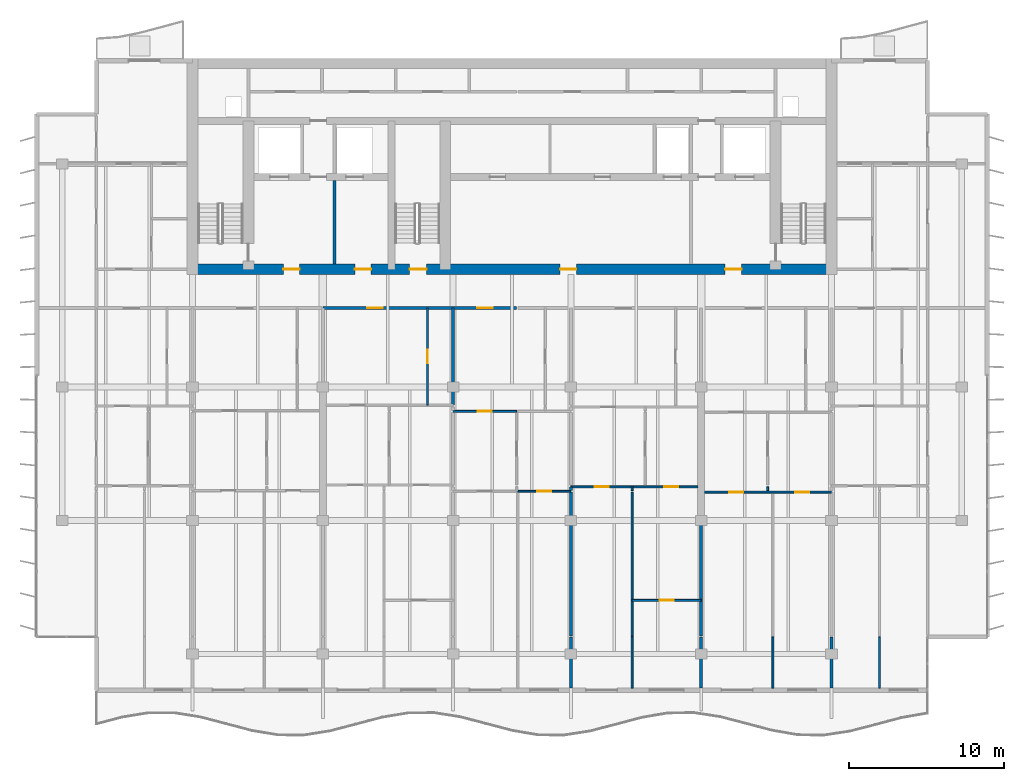
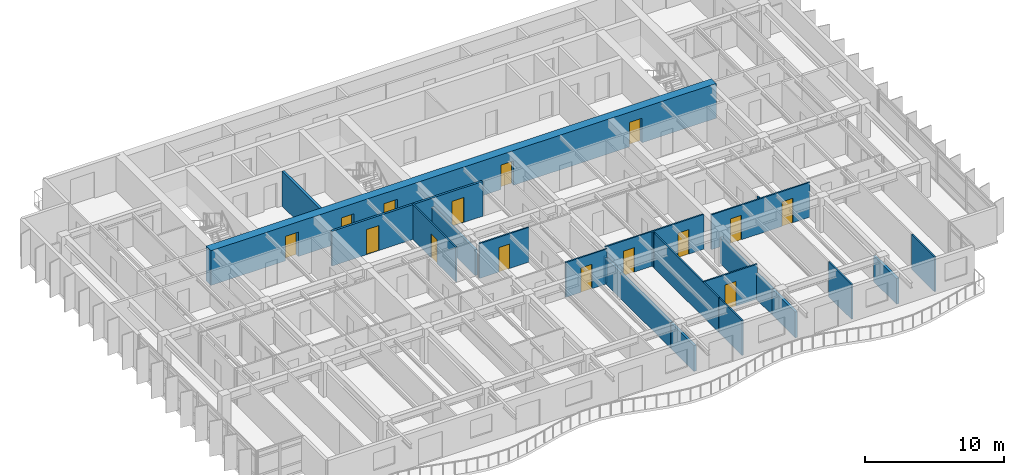
# One storey, part 8 of 17: 22 walls, 15 doors, 15 openings.
"""IFC4 building model written with IfcOpenShell, lengths in metres."""

from ifc_helpers import new_model, si_unit, direction, frame, frame_2d, origin, place, context, subcontext, project, spatial, rectangle, extrude, material, layer, layer_set, type_object, element, fill, save


model = new_model("IFC4")

# Units and contexts
model_context = context("Model", 3, precision=1e-05, world=origin(), true_north=direction((0.0, 1.0)))
body_context = subcontext(model_context, "Body", "Model", "MODEL_VIEW")
ifc_project = project(units=[si_unit("LENGTHUNIT", "METRE"), si_unit("AREAUNIT", "SQUARE_METRE"), si_unit("VOLUMEUNIT", "CUBIC_METRE"), si_unit("PLANEANGLEUNIT", "RADIAN"), si_unit("MASSUNIT", "GRAM", prefix="KILO")], contexts=[model_context])

# Site, building, storey
site_placement = place(None, origin())
site = spatial("IfcSite", under=ifc_project, at=site_placement, CompositionType="ELEMENT")
building_placement = place(site_placement, origin())
building = spatial("IfcBuilding", under=site, at=building_placement, Name="Caelmar Bay Residences", CompositionType="ELEMENT")
storey_placement = place(building_placement, frame((0.0, 0.0, 229.800048828125)))
storey = spatial("IfcBuildingStorey", under=building, at=storey_placement, Name="L64", CompositionType="ELEMENT", Elevation=229.800048828125)

# Wall, openings, doors
ifc_material_1 = material(Name="Concrete f'c 55 MPa (8,000 psi)", Category="concrete")
ifc_layer_1 = layer(ifc_material_1, 0.699951171875)
ifc_layer_set_1 = layer_set([ifc_layer_1], Name="Concrete f'c 55 MPa (8,000 psi)")
wall_type_1 = type_object("IfcWallType", Name="SW-COR-700", PredefinedType="SHEAR", material=ifc_layer_set_1)
wall_1_placement = place(storey_placement, frame((17.949951171875, 37.0, 0.0), z_axis=(0.0, 0.0, 1.0), x_axis=(1.0, 0.0, 0.0)))
wall_1 = element("IfcWall", 1, at=wall_1_placement, inside=storey, type_object=wall_type_1, Name="L64 Rear Core South Shear Wall", PredefinedType="SHEAR", context=body_context, shape_type="SweptSolid", body=[
    extrude(rectangle(XDim=41.900146484375, YDim=0.699951171875, at=frame_2d((20.9501953125, 0.0))), origin(), (0.0, 0.0, 1.0), 3.050048828125),
])
opening_1_placement = place(wall_1_placement, frame((14.35009765625, 0.0, 0.0)))
opening_1 = element("IfcOpeningElement", 2, at=opening_1_placement, cuts=wall_1, Name="Opening D-L64-105", PredefinedType="OPENING", context=body_context, shape_type="SweptSolid", body=[
    extrude(rectangle(XDim=1.10009765625, YDim=2.14990234375, at=frame_2d((0.550048828125, 1.074951171875))), frame((0.0, 0.35986328125, 0.0), z_axis=(0.0, -1.0, 0.0), x_axis=(1.0, 0.0, 0.0)), (0.0, 0.0, 1.0), 0.719970703125),
])
opening_2_placement = place(wall_1_placement, frame((6.199951171875, 0.0, 0.0)))
opening_2 = element("IfcOpeningElement", 3, at=opening_2_placement, cuts=wall_1, Name="Opening D-L64-106", PredefinedType="OPENING", context=body_context, shape_type="SweptSolid", body=[
    extrude(rectangle(XDim=1.050048828125, YDim=2.14990234375, at=frame_2d((0.52490234375, 1.074951171875))), frame((0.0, 0.35986328125, 0.0), z_axis=(0.0, -1.0, 0.0), x_axis=(1.0, 0.0, 0.0)), (0.0, 0.0, 1.0), 0.719970703125),
])
opening_3_placement = place(wall_1_placement, frame((34.699951171875, 0.0, 0.0)))
opening_3 = element("IfcOpeningElement", 4, at=opening_3_placement, cuts=wall_1, Name="Opening D-L64-109", PredefinedType="OPENING", context=body_context, shape_type="SweptSolid", body=[
    extrude(rectangle(XDim=1.050048828125, YDim=2.14990234375, at=frame_2d((0.52490234375, 1.074951171875))), frame((0.0, 0.35986328125, 0.0), z_axis=(0.0, -1.0, 0.0), x_axis=(1.0, 0.0, 0.0)), (0.0, 0.0, 1.0), 0.719970703125),
])
opening_4_placement = place(wall_1_placement, frame((10.8125, 0.0, 0.0)))
opening_4 = element("IfcOpeningElement", 5, at=opening_4_placement, cuts=wall_1, Name="Opening D-L64-112", PredefinedType="OPENING", context=body_context, shape_type="SweptSolid", body=[
    extrude(rectangle(XDim=1.050048828125, YDim=2.14990234375, at=frame_2d((0.52490234375, 1.074951171875))), frame((0.0, 0.35986328125, 0.0), z_axis=(0.0, -1.0, 0.0), x_axis=(1.0, 0.0, 0.0)), (0.0, 0.0, 1.0), 0.719970703125),
])
opening_5_placement = place(wall_1_placement, frame((24.050048828125, 0.0, 0.0)))
opening_5 = element("IfcOpeningElement", 6, at=opening_5_placement, cuts=wall_1, Name="Opening D-L64-113", PredefinedType="OPENING", context=body_context, shape_type="SweptSolid", body=[
    extrude(rectangle(XDim=1.050048828125, YDim=2.14990234375, at=frame_2d((0.52490234375, 1.074951171875))), frame((0.0, 0.35986328125, 0.0), z_axis=(0.0, -1.0, 0.0), x_axis=(1.0, 0.0, 0.0)), (0.0, 0.0, 1.0), 0.719970703125),
])
ifc_material_2 = material(Name="Fire-rated steel and walnut architectural door assembly", Category="steel")
ifc_layer_2 = layer(ifc_material_2, 0.050048828125)
ifc_layer_set_2 = layer_set([ifc_layer_2], Name="Fire-rated steel and walnut architectural door assembly")
door_type_1 = type_object("IfcDoorType", Name="D-FSAE-1050", OperationType="NOTDEFINED", PredefinedType="DOOR", material=ifc_layer_set_2)
door_1_placement = place(opening_2_placement, origin())
door_1 = element("IfcDoor", 7, at=door_1_placement, inside=storey, type_object=door_type_1, Name="L64 Firefighting Lobby West Door", OperationType="SINGLE_SWING_LEFT", OverallHeight=2.14990234375, OverallWidth=1.050048828125, PredefinedType="DOOR", context=body_context, shape_type="SweptSolid", body=[
    extrude(rectangle(XDim=1.050048828125, YDim=2.14990234375, at=frame_2d((0.52490234375, 1.074951171875))), frame((0.0, 0.02490234375, 0.0), z_axis=(0.0, -1.0, 0.0), x_axis=(1.0, 0.0, 0.0)), (0.0, 0.0, 1.0), 0.050048828125),
])
fill(opening_2, door_1)
door_2_placement = place(opening_3_placement, origin())
door_2 = element("IfcDoor", 8, at=door_2_placement, inside=storey, type_object=door_type_1, Name="L64 Firefighting Lobby East Door", OperationType="SINGLE_SWING_RIGHT", OverallHeight=2.14990234375, OverallWidth=1.050048828125, PredefinedType="DOOR", context=body_context, shape_type="SweptSolid", body=[
    extrude(rectangle(XDim=1.050048828125, YDim=2.14990234375, at=frame_2d((0.52490234375, 1.074951171875))), frame((0.0, 0.02490234375, 0.0), z_axis=(0.0, -1.0, 0.0), x_axis=(1.0, 0.0, 0.0)), (0.0, 0.0, 1.0), 0.050048828125),
])
fill(opening_3, door_2)
door_3_placement = place(opening_4_placement, origin())
door_3 = element("IfcDoor", 9, at=door_3_placement, inside=storey, type_object=door_type_1, Name="L64 West Lift Lobby Door", OperationType="SINGLE_SWING_LEFT", OverallHeight=2.14990234375, OverallWidth=1.050048828125, PredefinedType="DOOR", context=body_context, shape_type="SweptSolid", body=[
    extrude(rectangle(XDim=1.050048828125, YDim=2.14990234375, at=frame_2d((0.52490234375, 1.074951171875))), frame((0.0, 0.02490234375, 0.0), z_axis=(0.0, -1.0, 0.0), x_axis=(1.0, 0.0, 0.0)), (0.0, 0.0, 1.0), 0.050048828125),
])
fill(opening_4, door_3)
door_4_placement = place(opening_5_placement, origin())
door_4 = element("IfcDoor", 10, at=door_4_placement, inside=storey, type_object=door_type_1, Name="L64 Passenger Lift Lobby Door", OperationType="SINGLE_SWING_RIGHT", OverallHeight=2.14990234375, OverallWidth=1.050048828125, PredefinedType="DOOR", context=body_context, shape_type="SweptSolid", body=[
    extrude(rectangle(XDim=1.050048828125, YDim=2.14990234375, at=frame_2d((0.52490234375, 1.074951171875))), frame((0.0, 0.02490234375, 0.0), z_axis=(0.0, -1.0, 0.0), x_axis=(1.0, 0.0, 0.0)), (0.0, 0.0, 1.0), 0.050048828125),
])
fill(opening_5, door_4)
ifc_layer_3 = layer(ifc_material_2, 0.050048828125)
ifc_layer_set_3 = layer_set([ifc_layer_3], Name="Fire-rated steel and walnut architectural door assembly")
door_type_2 = type_object("IfcDoorType", Name="D-STAIR-1100", OperationType="NOTDEFINED", PredefinedType="DOOR", material=ifc_layer_set_3)
door_5_placement = place(opening_1_placement, origin())
door_5 = element("IfcDoor", 11, at=door_5_placement, inside=storey, type_object=door_type_2, Name="L64 Exit Stair ST3 Door", OperationType="SINGLE_SWING_RIGHT", OverallHeight=2.14990234375, OverallWidth=1.10009765625, PredefinedType="DOOR", context=body_context, shape_type="SweptSolid", body=[
    extrude(rectangle(XDim=1.10009765625, YDim=2.14990234375, at=frame_2d((0.550048828125, 1.074951171875))), frame((0.0, 0.02490234375, 0.0), z_axis=(0.0, -1.0, 0.0), x_axis=(1.0, 0.0, 0.0)), (0.0, 0.0, 1.0), 0.050048828125),
])
fill(opening_1, door_5)

ifc_material_3 = material(Name="Double-stud acoustic fire-rated gypsum partition 180 mm")
ifc_layer_4 = layer(ifc_material_3, 0.179931640625)
ifc_layer_set_4 = layer_set([ifc_layer_4], Name="Double-stud acoustic fire-rated gypsum partition 180 mm")
wall_type_2 = type_object("IfcWallType", Name="W-COR-200", PredefinedType="PARTITIONING", material=ifc_layer_set_4)
wall_2_placement = place(storey_placement, frame((26.699951171875, 34.5, 0.0), z_axis=(0.0, 0.0, 1.0), x_axis=(1.0, 0.0, 0.0)))
wall_2 = element("IfcWall", 12, at=wall_2_placement, inside=storey, type_object=wall_type_2, Name="L64 Partition Wall H122", PredefinedType="PARTITIONING", context=body_context, shape_type="SweptSolid", body=[
    extrude(rectangle(XDim=12.504150390625, YDim=0.179931640625, at=frame_2d((6.251953125, 0.0))), origin(), (0.0, 0.0, 1.0), 3.050048828125),
])
opening_6_placement = place(wall_2_placement, frame((2.875, 0.0, 0.0)))
opening_6 = element("IfcOpeningElement", 13, at=opening_6_placement, cuts=wall_2, Name="Opening D-L64-136", PredefinedType="OPENING", context=body_context, shape_type="SweptSolid", body=[
    extrude(rectangle(XDim=1.0, YDim=2.199951171875, at=frame_2d((0.5, 1.10009765625))), frame((0.0, 0.099853515625, 0.0), z_axis=(0.0, -1.0, 0.0), x_axis=(1.0, 0.0, 0.0)), (0.0, 0.0, 1.0), 0.199951171875),
])
opening_7_placement = place(wall_2_placement, frame((9.951904296875, 0.0, 0.0)))
opening_7 = element("IfcOpeningElement", 14, at=opening_7_placement, cuts=wall_2, Name="Opening D-L64-143", PredefinedType="OPENING", context=body_context, shape_type="SweptSolid", body=[
    extrude(rectangle(XDim=1.0, YDim=2.199951171875, at=frame_2d((0.5, 1.10009765625))), frame((0.0, 0.099853515625, 0.0), z_axis=(0.0, -1.0, 0.0), x_axis=(1.0, 0.0, 0.0)), (0.0, 0.0, 1.0), 0.199951171875),
])
ifc_layer_5 = layer(ifc_material_2, 0.050048828125)
ifc_layer_set_5 = layer_set([ifc_layer_5], Name="Fire-rated steel and walnut architectural door assembly")
door_type_3 = type_object("IfcDoorType", Name="D-UNIT-1000", OperationType="NOTDEFINED", PredefinedType="DOOR", material=ifc_layer_set_5)
door_6_placement = place(opening_6_placement, origin())
door_6 = element("IfcDoor", 15, at=door_6_placement, inside=storey, type_object=door_type_3, Name="L64 Residence 03 Apartment Hall Door", OperationType="SINGLE_SWING_LEFT", OverallHeight=2.199951171875, OverallWidth=1.0, PredefinedType="DOOR", context=body_context, shape_type="SweptSolid", body=[
    extrude(rectangle(XDim=1.0, YDim=2.199951171875, at=frame_2d((0.5, 1.10009765625))), frame((0.0, 0.02490234375, 0.0), z_axis=(0.0, -1.0, 0.0), x_axis=(1.0, 0.0, 0.0)), (0.0, 0.0, 1.0), 0.050048828125),
])
fill(opening_6, door_6)
door_7_placement = place(opening_7_placement, origin())
door_7 = element("IfcDoor", 16, at=door_7_placement, inside=storey, type_object=door_type_3, Name="L64 Residence 04 Apartment Hall Door", OperationType="SINGLE_SWING_RIGHT", OverallHeight=2.199951171875, OverallWidth=1.0, PredefinedType="DOOR", context=body_context, shape_type="SweptSolid", body=[
    extrude(rectangle(XDim=1.0, YDim=2.199951171875, at=frame_2d((0.5, 1.10009765625))), frame((0.0, 0.02490234375, 0.0), z_axis=(0.0, -1.0, 0.0), x_axis=(1.0, 0.0, 0.0)), (0.0, 0.0, 1.0), 0.050048828125),
])
fill(opening_7, door_7)

# Wall
ifc_material_4 = material(Name="Fire-rated masonry and gypsum shaftliner assembly 200 mm", Category="masonry")
ifc_layer_6 = layer(ifc_material_4, 0.199951171875)
ifc_layer_set_6 = layer_set([ifc_layer_6], Name="Fire-rated masonry and gypsum shaftliner assembly 200 mm")
wall_type_3 = type_object("IfcWallType", Name="W-FSAE-200", PredefinedType="PARTITIONING", material=ifc_layer_set_6)
wall_3_placement = place(storey_placement, frame((27.449951171875, 37.344970703125, 0.0), z_axis=(0.0, 0.0, 1.0), x_axis=(0.0, 1.0, 0.0)))
element("IfcWall", 17, at=wall_3_placement, inside=storey, type_object=wall_type_3, Name="L64 Partition Wall V033", PredefinedType="PARTITIONING", context=body_context, shape_type="SweptSolid", body=[
    extrude(rectangle(XDim=5.385009765625, YDim=0.199951171875, at=frame_2d((2.6923828125, 0.0))), origin(), (0.0, 0.0, 1.0), 3.050048828125),
])

# Wall, opening, door
ifc_material_5 = material(Name="Acoustic metal-stud gypsum partition 120 mm")
ifc_layer_7 = layer(ifc_material_5, 0.1201171875)
ifc_layer_set_7 = layer_set([ifc_layer_7], Name="Acoustic metal-stud gypsum partition 120 mm")
wall_type_4 = type_object("IfcWallType", Name="W-PRT-120", PredefinedType="PARTITIONING", material=ifc_layer_set_7)
wall_4_placement = place(storey_placement, frame((33.449951171875, 28.239990234375, 0.0), z_axis=(0.0, 0.0, 1.0), x_axis=(0.0, 1.0, 0.0)))
wall_4 = element("IfcWall", 18, at=wall_4_placement, inside=storey, type_object=wall_type_4, Name="L64 Partition Wall V041", PredefinedType="PARTITIONING", context=body_context, shape_type="SweptSolid", body=[
    extrude(rectangle(XDim=6.260009765625, YDim=0.1201171875, at=frame_2d((3.1298828125, 0.0))), origin(), (0.0, 0.0, 1.0), 3.050048828125),
])
opening_8_placement = place(wall_4_placement, frame((2.705078125, 0.0, 0.0)))
opening_8 = element("IfcOpeningElement", 19, at=opening_8_placement, cuts=wall_4, Name="Opening D-L64-137", PredefinedType="OPENING", context=body_context, shape_type="SweptSolid", body=[
    extrude(rectangle(XDim=0.85009765625, YDim=2.10009765625, at=frame_2d((0.425048828125, 1.050048828125))), frame((0.0, 0.070068359375, 0.0), z_axis=(0.0, -1.0, 0.0), x_axis=(1.0, 0.0, 0.0)), (0.0, 0.0, 1.0), 0.14013671875),
])
ifc_material_6 = material(Name="Solid walnut timber interior door leaf and frame", Category="wood")
ifc_layer_8 = layer(ifc_material_6, 0.050048828125)
ifc_layer_set_8 = layer_set([ifc_layer_8], Name="Solid walnut timber interior door leaf and frame")
door_type_4 = type_object("IfcDoorType", Name="D-BATH-850", OperationType="NOTDEFINED", PredefinedType="DOOR", material=ifc_layer_set_8)
door_8_placement = place(opening_8_placement, origin())
door_8 = element("IfcDoor", 20, at=door_8_placement, inside=storey, type_object=door_type_4, Name="L64 Residence 03 Bathroom Door", OperationType="SINGLE_SWING_RIGHT", OverallHeight=2.10009765625, OverallWidth=0.85009765625, PredefinedType="DOOR", context=body_context, shape_type="SweptSolid", body=[
    extrude(rectangle(XDim=0.85009765625, YDim=2.10009765625, at=frame_2d((0.425048828125, 1.050048828125))), frame((0.0, 0.02490234375, 0.0), z_axis=(0.0, -1.0, 0.0), x_axis=(1.0, 0.0, 0.0)), (0.0, 0.0, 1.0), 0.050048828125),
])
fill(opening_8, door_8)

# Walls
wall_5_placement = place(storey_placement, frame((46.64794921875, 9.9951171875, 0.0), z_axis=(0.0, 0.0, 1.0), x_axis=(0.0, 1.0, 0.0)))
element("IfcWall", 21, at=wall_5_placement, inside=storey, type_object=wall_type_4, Name="L64 Partition Wall V063", PredefinedType="PARTITIONING", context=body_context, shape_type="SweptSolid", body=[
    extrude(rectangle(XDim=3.304931640625, YDim=0.1201171875, at=frame_2d((1.65234375, 0.0))), origin(), (0.0, 0.0, 1.0), 3.050048828125),
])
wall_6_placement = place(storey_placement, frame((46.64794921875, 13.340087890625, 0.0), z_axis=(0.0, 0.0, 1.0), x_axis=(0.0, 1.0, 0.0)))
element("IfcWall", 22, at=wall_6_placement, inside=storey, type_object=wall_type_4, Name="L64 Partition Wall V064", PredefinedType="PARTITIONING", context=body_context, shape_type="SweptSolid", body=[
    extrude(rectangle(XDim=9.289794921875, YDim=0.1201171875, at=frame_2d((4.64501953125, 0.0))), origin(), (0.0, 0.0, 1.0), 3.050048828125),
])
for number, where, z_axis, x_axis, name in (
    (23, (46.64794921875, 22.72998046875, 0.0), (0.0, 0.0, 1.0), (0.0, 1.0, 0.0), "L64 Partition Wall V065"),
    (24, (55.385986328125, 22.72998046875, 0.0), (0.0, 0.0, 1.0), (0.0, 1.0, 0.0), "L64 Partition Wall V077"),
):
    element("IfcWall", number, at=place(storey_placement, frame(where, z_axis=z_axis, x_axis=x_axis)), inside=storey, type_object=wall_type_4, Name=name, PredefinedType="PARTITIONING", context=body_context, shape_type="SweptSolid", body=[
        extrude(rectangle(XDim=0.239990234375, YDim=0.1201171875, at=frame_2d((0.1201171875, 0.0))), origin(), (0.0, 0.0, 1.0), 3.050048828125),
    ])
for number, where, z_axis, x_axis, name in (
    (25, (55.719970703125, 9.9951171875, 0.0), (0.0, 0.0, 1.0), (0.0, 1.0, 0.0), "L64 Partition Wall V079"),
    (26, (62.60009765625, 9.9951171875, 0.0), (0.0, 0.0, 1.0), (0.0, 1.0, 0.0), "L64 Partition Wall V091"),
):
    element("IfcWall", number, at=place(storey_placement, frame(where, z_axis=z_axis, x_axis=x_axis)), inside=storey, type_object=wall_type_4, Name=name, PredefinedType="PARTITIONING", context=body_context, shape_type="SweptSolid", body=[
        extrude(rectangle(XDim=3.304931640625, YDim=0.1201171875, at=frame_2d((1.65234375, 0.0))), origin(), (0.0, 0.0, 1.0), 3.050048828125),
    ])

# Wall, opening, door
wall_7_placement = place(storey_placement, frame((46.64794921875, 15.64990234375, 0.0), z_axis=(0.0, 0.0, 1.0), x_axis=(1.0, 0.0, 0.0)))
wall_7 = element("IfcWall", 27, at=wall_7_placement, inside=storey, type_object=wall_type_4, Name="L64 Partition Wall H103", PredefinedType="PARTITIONING", context=body_context, shape_type="SweptSolid", body=[
    extrude(rectangle(XDim=4.4521484375, YDim=0.1201171875, at=frame_2d((2.22607421875, 0.0))), origin(), (0.0, 0.0, 1.0), 3.050048828125),
])
opening_9_placement = place(wall_7_placement, frame((1.77587890625, 0.0, 0.0)))
opening_9 = element("IfcOpeningElement", 28, at=opening_9_placement, cuts=wall_7, Name="Opening D-L64-155", PredefinedType="OPENING", context=body_context, shape_type="SweptSolid", body=[
    extrude(rectangle(XDim=0.89990234375, YDim=2.14990234375, at=frame_2d((0.449951171875, 1.074951171875))), frame((0.0, 0.070068359375, 0.0), z_axis=(0.0, -1.0, 0.0), x_axis=(1.0, 0.0, 0.0)), (0.0, 0.0, 1.0), 0.14013671875),
])
ifc_layer_9 = layer(ifc_material_6, 0.050048828125)
ifc_layer_set_9 = layer_set([ifc_layer_9], Name="Solid walnut timber interior door leaf and frame")
door_type_5 = type_object("IfcDoorType", Name="D-ROOM-900", OperationType="NOTDEFINED", PredefinedType="DOOR", material=ifc_layer_set_9)
door_9_placement = place(opening_9_placement, origin())
door_9 = element("IfcDoor", 29, at=door_9_placement, inside=storey, type_object=door_type_5, Name="L64 Residence 05 Primary Bedroom Door", OperationType="SINGLE_SWING_RIGHT", OverallHeight=2.14990234375, OverallWidth=0.89990234375, PredefinedType="DOOR", context=body_context, shape_type="SweptSolid", body=[
    extrude(rectangle(XDim=0.89990234375, YDim=2.14990234375, at=frame_2d((0.449951171875, 1.074951171875))), frame((0.0, 0.02490234375, 0.0), z_axis=(0.0, -1.0, 0.0), x_axis=(1.0, 0.0, 0.0)), (0.0, 0.0, 1.0), 0.050048828125),
])
fill(opening_9, door_9)

# Wall, openings, doors
wall_8_placement = place(storey_placement, frame((51.320068359375, 22.6298828125, 0.0), z_axis=(0.0, 0.0, 1.0), x_axis=(1.0, 0.0, 0.0)))
wall_8 = element("IfcWall", 30, at=wall_8_placement, inside=storey, type_object=wall_type_4, Name="L64 Partition Wall H104", PredefinedType="PARTITIONING", context=body_context, shape_type="SweptSolid", body=[
    extrude(rectangle(XDim=8.179931640625, YDim=0.1201171875, at=frame_2d((4.08984375, 0.0))), origin(), (0.0, 0.0, 1.0), 3.050048828125),
])
opening_10_placement = place(wall_8_placement, frame((1.5830078125, 0.0, 0.0)))
opening_10 = element("IfcOpeningElement", 31, at=opening_10_placement, cuts=wall_8, Name="Opening D-L64-160", PredefinedType="OPENING", context=body_context, shape_type="SweptSolid", body=[
    extrude(rectangle(XDim=0.89990234375, YDim=2.14990234375, at=frame_2d((0.449951171875, 1.074951171875))), frame((0.0, 0.070068359375, 0.0), z_axis=(0.0, -1.0, 0.0), x_axis=(1.0, 0.0, 0.0)), (0.0, 0.0, 1.0), 0.14013671875),
])
opening_11_placement = place(wall_8_placement, frame((5.840087890625, 0.0, 0.0)))
opening_11 = element("IfcOpeningElement", 32, at=opening_11_placement, cuts=wall_8, Name="Opening D-L64-161", PredefinedType="OPENING", context=body_context, shape_type="SweptSolid", body=[
    extrude(rectangle(XDim=0.89990234375, YDim=2.14990234375, at=frame_2d((0.449951171875, 1.074951171875))), frame((0.0, 0.070068359375, 0.0), z_axis=(0.0, -1.0, 0.0), x_axis=(1.0, 0.0, 0.0)), (0.0, 0.0, 1.0), 0.14013671875),
])
door_10_placement = place(opening_10_placement, origin())
door_10 = element("IfcDoor", 33, at=door_10_placement, inside=storey, type_object=door_type_5, Name="L64 Residence 06 Living Room Door", OperationType="SINGLE_SWING_LEFT", OverallHeight=2.14990234375, OverallWidth=0.89990234375, PredefinedType="DOOR", context=body_context, shape_type="SweptSolid", body=[
    extrude(rectangle(XDim=0.89990234375, YDim=2.14990234375, at=frame_2d((0.449951171875, 1.074951171875))), frame((0.0, 0.02490234375, 0.0), z_axis=(0.0, -1.0, 0.0), x_axis=(1.0, 0.0, 0.0)), (0.0, 0.0, 1.0), 0.050048828125),
])
fill(opening_10, door_10)
door_11_placement = place(opening_11_placement, origin())
door_11 = element("IfcDoor", 34, at=door_11_placement, inside=storey, type_object=door_type_5, Name="L64 Residence 06 Primary Bedroom Door", OperationType="SINGLE_SWING_RIGHT", OverallHeight=2.14990234375, OverallWidth=0.89990234375, PredefinedType="DOOR", context=body_context, shape_type="SweptSolid", body=[
    extrude(rectangle(XDim=0.89990234375, YDim=2.14990234375, at=frame_2d((0.449951171875, 1.074951171875))), frame((0.0, 0.02490234375, 0.0), z_axis=(0.0, -1.0, 0.0), x_axis=(1.0, 0.0, 0.0)), (0.0, 0.0, 1.0), 0.050048828125),
])
fill(opening_11, door_11)

# Wall, opening, door
wall_9_placement = place(storey_placement, frame((39.280029296875, 22.68994140625, 0.0), z_axis=(0.0, 0.0, 1.0), x_axis=(1.0, 0.0, 0.0)))
wall_9 = element("IfcWall", 35, at=wall_9_placement, inside=storey, type_object=wall_type_4, Name="L64 Partition Wall H106", PredefinedType="PARTITIONING", context=body_context, shape_type="SweptSolid", body=[
    extrude(rectangle(XDim=3.419921875, YDim=0.1201171875, at=frame_2d((1.7099609375, 0.0))), origin(), (0.0, 0.0, 1.0), 3.050048828125),
])
opening_12_placement = place(wall_9_placement, frame((1.260009765625, 0.0, 0.0)))
opening_12 = element("IfcOpeningElement", 36, at=opening_12_placement, cuts=wall_9, Name="Opening D-L64-148", PredefinedType="OPENING", context=body_context, shape_type="SweptSolid", body=[
    extrude(rectangle(XDim=0.89990234375, YDim=2.14990234375, at=frame_2d((0.449951171875, 1.074951171875))), frame((0.0, 0.070068359375, 0.0), z_axis=(0.0, -1.0, 0.0), x_axis=(1.0, 0.0, 0.0)), (0.0, 0.0, 1.0), 0.14013671875),
])
door_12_placement = place(opening_12_placement, origin())
door_12 = element("IfcDoor", 37, at=door_12_placement, inside=storey, type_object=door_type_5, Name="L64 Residence 04 Primary Bedroom Door", OperationType="SINGLE_SWING_LEFT", OverallHeight=2.14990234375, OverallWidth=0.89990234375, PredefinedType="DOOR", context=body_context, shape_type="SweptSolid", body=[
    extrude(rectangle(XDim=0.89990234375, YDim=2.14990234375, at=frame_2d((0.449951171875, 1.074951171875))), frame((0.0, 0.02490234375, 0.0), z_axis=(0.0, -1.0, 0.0), x_axis=(1.0, 0.0, 0.0)), (0.0, 0.0, 1.0), 0.050048828125),
])
fill(opening_12, door_12)

# Wall, openings, doors
wall_10_placement = place(storey_placement, frame((42.699951171875, 22.969970703125, 0.0), z_axis=(0.0, 0.0, 1.0), x_axis=(1.0, 0.0, 0.0)))
wall_10 = element("IfcWall", 38, at=wall_10_placement, inside=storey, type_object=wall_type_4, Name="L64 Partition Wall H108", PredefinedType="PARTITIONING", context=body_context, shape_type="SweptSolid", body=[
    extrude(rectangle(XDim=8.179931640625, YDim=0.1201171875, at=frame_2d((4.08984375, 0.0))), origin(), (0.0, 0.0, 1.0), 3.050048828125),
])
opening_13_placement = place(wall_10_placement, frame((1.52392578125, 0.0, 0.0)))
opening_13 = element("IfcOpeningElement", 39, at=opening_13_placement, cuts=wall_10, Name="Opening D-L64-153", PredefinedType="OPENING", context=body_context, shape_type="SweptSolid", body=[
    extrude(rectangle(XDim=0.89990234375, YDim=2.14990234375, at=frame_2d((0.449951171875, 1.074951171875))), frame((0.0, 0.070068359375, 0.0), z_axis=(0.0, -1.0, 0.0), x_axis=(1.0, 0.0, 0.0)), (0.0, 0.0, 1.0), 0.14013671875),
])
opening_14_placement = place(wall_10_placement, frame((6.032958984375, 0.0, 0.0)))
opening_14 = element("IfcOpeningElement", 40, at=opening_14_placement, cuts=wall_10, Name="Opening D-L64-154", PredefinedType="OPENING", context=body_context, shape_type="SweptSolid", body=[
    extrude(rectangle(XDim=0.89990234375, YDim=2.14990234375, at=frame_2d((0.449951171875, 1.074951171875))), frame((0.0, 0.070068359375, 0.0), z_axis=(0.0, -1.0, 0.0), x_axis=(1.0, 0.0, 0.0)), (0.0, 0.0, 1.0), 0.14013671875),
])
door_13_placement = place(opening_13_placement, origin())
door_13 = element("IfcDoor", 41, at=door_13_placement, inside=storey, type_object=door_type_5, Name="L64 Residence 05 Living Room Door", OperationType="SINGLE_SWING_RIGHT", OverallHeight=2.14990234375, OverallWidth=0.89990234375, PredefinedType="DOOR", context=body_context, shape_type="SweptSolid", body=[
    extrude(rectangle(XDim=0.89990234375, YDim=2.14990234375, at=frame_2d((0.449951171875, 1.074951171875))), frame((0.0, 0.02490234375, 0.0), z_axis=(0.0, -1.0, 0.0), x_axis=(1.0, 0.0, 0.0)), (0.0, 0.0, 1.0), 0.050048828125),
])
fill(opening_13, door_13)
door_14_placement = place(opening_14_placement, origin())
door_14 = element("IfcDoor", 42, at=door_14_placement, inside=storey, type_object=door_type_5, Name="L64 Residence 05 Bedroom 2 Door", OperationType="SINGLE_SWING_LEFT", OverallHeight=2.14990234375, OverallWidth=0.89990234375, PredefinedType="DOOR", context=body_context, shape_type="SweptSolid", body=[
    extrude(rectangle(XDim=0.89990234375, YDim=2.14990234375, at=frame_2d((0.449951171875, 1.074951171875))), frame((0.0, 0.02490234375, 0.0), z_axis=(0.0, -1.0, 0.0), x_axis=(1.0, 0.0, 0.0)), (0.0, 0.0, 1.0), 0.050048828125),
])
fill(opening_14, door_14)

# Wall, opening, door
wall_11_placement = place(storey_placement, frame((35.10009765625, 27.840087890625, 0.0), z_axis=(0.0, 0.0, 1.0), x_axis=(1.0, 0.0, 0.0)))
wall_11 = element("IfcWall", 43, at=wall_11_placement, inside=storey, type_object=wall_type_4, Name="L64 Partition Wall H113", PredefinedType="PARTITIONING", context=body_context, shape_type="SweptSolid", body=[
    extrude(rectangle(XDim=4.10400390625, YDim=0.1201171875, at=frame_2d((2.052001953125, 0.0))), origin(), (0.0, 0.0, 1.0), 3.050048828125),
])
opening_15_placement = place(wall_11_placement, frame((1.60205078125, 0.0, 0.0)))
opening_15 = element("IfcOpeningElement", 44, at=opening_15_placement, cuts=wall_11, Name="Opening D-L64-145", PredefinedType="OPENING", context=body_context, shape_type="SweptSolid", body=[
    extrude(rectangle(XDim=0.89990234375, YDim=2.14990234375, at=frame_2d((0.449951171875, 1.074951171875))), frame((0.0, 0.070068359375, 0.0), z_axis=(0.0, -1.0, 0.0), x_axis=(1.0, 0.0, 0.0)), (0.0, 0.0, 1.0), 0.14013671875),
])
door_15_placement = place(opening_15_placement, origin())
door_15 = element("IfcDoor", 45, at=door_15_placement, inside=storey, type_object=door_type_5, Name="L64 Residence 04 Kitchen Door", OperationType="SINGLE_SWING_RIGHT", OverallHeight=2.14990234375, OverallWidth=0.89990234375, PredefinedType="DOOR", context=body_context, shape_type="SweptSolid", body=[
    extrude(rectangle(XDim=0.89990234375, YDim=2.14990234375, at=frame_2d((0.449951171875, 1.074951171875))), frame((0.0, 0.02490234375, 0.0), z_axis=(0.0, -1.0, 0.0), x_axis=(1.0, 0.0, 0.0)), (0.0, 0.0, 1.0), 0.050048828125),
])
fill(opening_15, door_15)

# Walls
ifc_material_7 = material(Name="Acoustic twin-stud fire-rated inter-tenancy partition 200 mm")
ifc_layer_10 = layer(ifc_material_7, 0.199951171875)
ifc_layer_set_10 = layer_set([ifc_layer_10], Name="Acoustic twin-stud fire-rated inter-tenancy partition 200 mm")
wall_type_5 = type_object("IfcWallType", Name="W-PTY-200", PredefinedType="PARTITIONING", material=ifc_layer_set_10)
wall_12_placement = place(storey_placement, frame((35.10009765625, 28.239990234375, 0.0), z_axis=(0.0, 0.0, 1.0), x_axis=(0.0, 1.0, 0.0)))
element("IfcWall", 46, at=wall_12_placement, inside=storey, type_object=wall_type_5, Name="L64 Partition Wall V047", PredefinedType="PARTITIONING", context=body_context, shape_type="SweptSolid", body=[
    extrude(rectangle(XDim=6.260009765625, YDim=0.199951171875, at=frame_2d((3.1298828125, 0.0))), origin(), (0.0, 0.0, 1.0), 2.262939453125),
])
wall_13_placement = place(storey_placement, frame((42.699951171875, 9.9951171875, 0.0), z_axis=(0.0, 0.0, 1.0), x_axis=(0.0, 1.0, 0.0)))
element("IfcWall", 47, at=wall_13_placement, inside=storey, type_object=wall_type_5, Name="L64 Partition Wall V056", PredefinedType="PARTITIONING", context=body_context, shape_type="SweptSolid", body=[
    extrude(rectangle(XDim=3.304931640625, YDim=0.199951171875, at=frame_2d((1.65234375, 0.0))), origin(), (0.0, 0.0, 1.0), 2.262939453125),
])
wall_14_placement = place(storey_placement, frame((42.699951171875, 13.340087890625, 0.0), z_axis=(0.0, 0.0, 1.0), x_axis=(0.0, 1.0, 0.0)))
element("IfcWall", 48, at=wall_14_placement, inside=storey, type_object=wall_type_5, Name="L64 Partition Wall V057", PredefinedType="PARTITIONING", context=body_context, shape_type="SweptSolid", body=[
    extrude(rectangle(XDim=9.289794921875, YDim=0.199951171875, at=frame_2d((4.64501953125, 0.0))), origin(), (0.0, 0.0, 1.0), 2.262939453125),
])
wall_15_placement = place(storey_placement, frame((42.699951171875, 22.72998046875, 0.0), z_axis=(0.0, 0.0, 1.0), x_axis=(0.0, 1.0, 0.0)))
element("IfcWall", 49, at=wall_15_placement, inside=storey, type_object=wall_type_5, Name="L64 Partition Wall V058", PredefinedType="PARTITIONING", context=body_context, shape_type="SweptSolid", body=[
    extrude(rectangle(XDim=0.239990234375, YDim=0.199951171875, at=frame_2d((0.1201171875, 0.0))), origin(), (0.0, 0.0, 1.0), 2.262939453125),
])
wall_16_placement = place(storey_placement, frame((51.10009765625, 9.9951171875, 0.0), z_axis=(0.0, 0.0, 1.0), x_axis=(0.0, 1.0, 0.0)))
element("IfcWall", 50, at=wall_16_placement, inside=storey, type_object=wall_type_5, Name="L64 Partition Wall V072", PredefinedType="PARTITIONING", context=body_context, shape_type="SweptSolid", body=[
    extrude(rectangle(XDim=3.304931640625, YDim=0.199951171875, at=frame_2d((1.65234375, 0.0))), origin(), (0.0, 0.0, 1.0), 2.262939453125),
])
wall_17_placement = place(storey_placement, frame((51.10009765625, 13.340087890625, 0.0), z_axis=(0.0, 0.0, 1.0), x_axis=(0.0, 1.0, 0.0)))
element("IfcWall", 51, at=wall_17_placement, inside=storey, type_object=wall_type_5, Name="L64 Partition Wall V073", PredefinedType="PARTITIONING", context=body_context, shape_type="SweptSolid", body=[
    extrude(rectangle(XDim=7.454833984375, YDim=0.199951171875, at=frame_2d((3.7275390625, 0.0))), origin(), (0.0, 0.0, 1.0), 2.262939453125),
])
wall_18_placement = place(storey_placement, frame((59.5, 9.9951171875, 0.0), z_axis=(0.0, 0.0, 1.0), x_axis=(0.0, 1.0, 0.0)))
element("IfcWall", 52, at=wall_18_placement, inside=storey, type_object=wall_type_5, Name="L64 Partition Wall V084", PredefinedType="PARTITIONING", context=body_context, shape_type="SweptSolid", body=[
    extrude(rectangle(XDim=3.304931640625, YDim=0.199951171875, at=frame_2d((1.65234375, 0.0))), origin(), (0.0, 0.0, 1.0), 2.262939453125),
])

save(model, "model.ifc")
